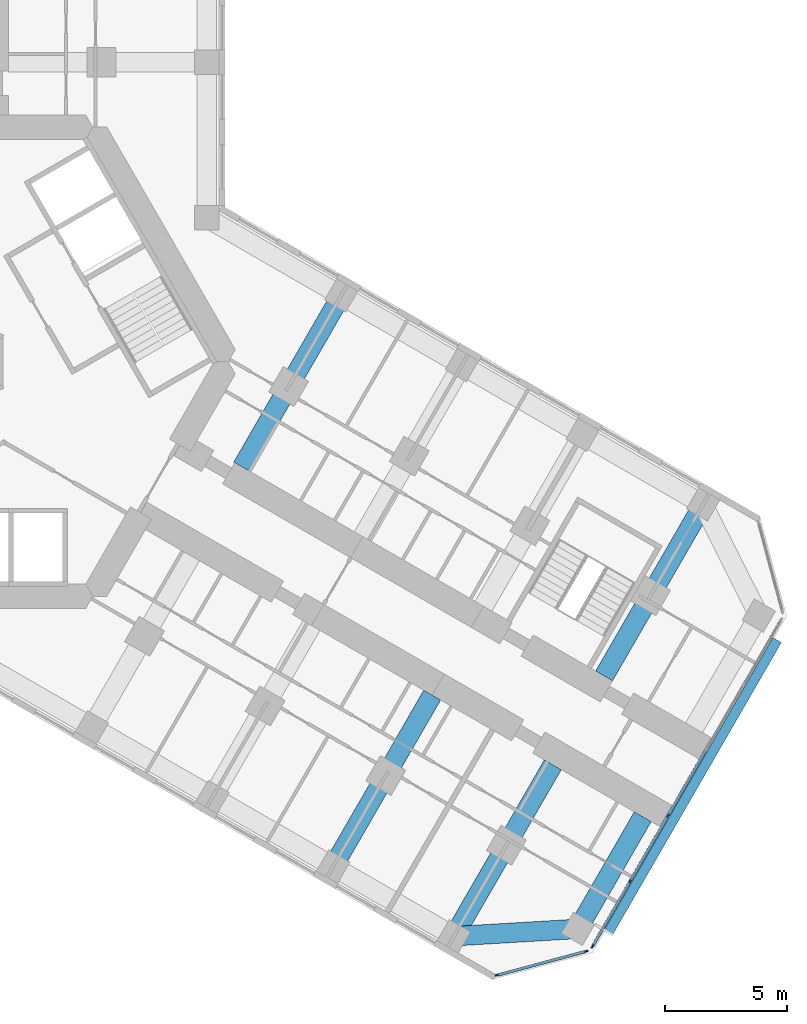
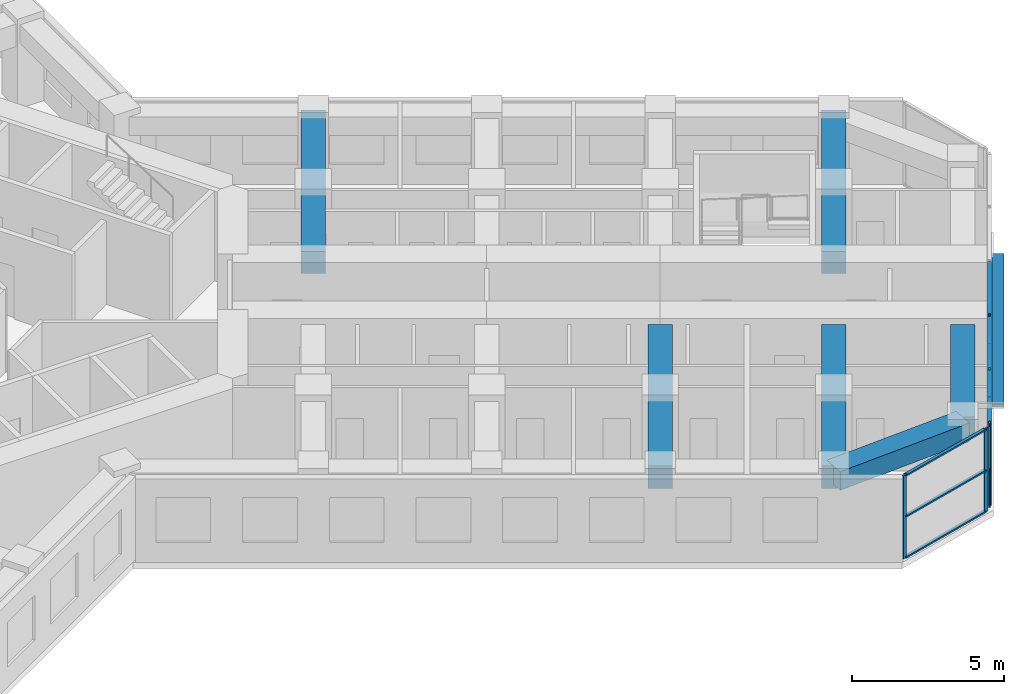
# One storey, part 5 of 21: 15 members, 6 beams, 2 elements without a shape of their own.
"""IFC4 building model written with IfcOpenShell, lengths in metres."""

import ifcopenshell
import ifcopenshell.guid

model = None  # the IFC model being written
_history = None  # IfcOwnerHistory: only IFC2X3 demands one
_inside = {}  # id of a spatial element -> (the spatial element, [elements in it])
_under = {}  # id of a project, library or spatial element -> (it, [spatial elements below it])
_declared = {}  # id of a project -> (the project, [libraries it declares])
_typed = {}  # id of a type object -> (the type object, [elements of that type])
_made_of = {}  # id of a material, layer set ... -> (it, [elements and type objects made of it])


def new_model(schema):
    """Start an empty IFC model of exactly this schema.

    Asked for "IFC4X3", IfcOpenShell would pick the latest addendum, in which some entities
    have other attributes; the version numbers below select the first issue.
    IFC2X3 requires an IfcOwnerHistory on every rooted entity: one is made here for all.
    """
    global model, _history
    if schema == "IFC4X3":
        model = ifcopenshell.file(schema_version=(4, 3, 0, 0))
    else:
        model = ifcopenshell.file(schema=schema)
    _inside.clear()
    _under.clear()
    _declared.clear()
    _typed.clear()
    _made_of.clear()
    _history = None
    if model.schema == "IFC2X3":
        org = make("IfcOrganization", Name="unknown")
        user = make(
            "IfcPersonAndOrganization",
            ThePerson=make("IfcPerson", FamilyName="unknown"),
            TheOrganization=org,
        )
        app = make(
            "IfcApplication",
            ApplicationDeveloper=org,
            Version="unknown",
            ApplicationFullName="unknown",
            ApplicationIdentifier="unknown",
        )
        _history = make(
            "IfcOwnerHistory",
            OwningUser=user,
            OwningApplication=app,
            ChangeAction="ADDED",
            CreationDate=0,
        )
    return model


def make(cls, **values):
    """One entity of the class cls with the attributes given. An attribute that is None is left unset."""
    return model.create_entity(
        cls, **{name: value for name, value in values.items() if value is not None}
    )


def rooted(cls, **values):
    """An entity with a GlobalId (a new one), such as an element, a storey or a relation."""
    return make(cls, GlobalId=ifcopenshell.guid.new(), OwnerHistory=_history, **values)


def si_unit(unit_type, name, prefix=None):
    """IfcSIUnit, for example si_unit("LENGTHUNIT", "METRE", prefix="MILLI")."""
    return make("IfcSIUnit", UnitType=unit_type, Prefix=prefix, Name=name)


def assignment(units):
    """IfcUnitAssignment: the units of a project."""
    return None if units is None else make("IfcUnitAssignment", Units=units)


def point(xyz):
    """IfcCartesianPoint."""
    return None if xyz is None else make("IfcCartesianPoint", Coordinates=xyz)


def direction(xyz):
    """IfcDirection."""
    return None if xyz is None else make("IfcDirection", DirectionRatios=xyz)


def frame(location, z_axis=None, x_axis=None):
    """IfcAxis2Placement3D, a coordinate frame: its origin and axes. An axis left out is left unset."""
    return make(
        "IfcAxis2Placement3D",
        Location=point(location),
        Axis=direction(z_axis),
        RefDirection=direction(x_axis),
    )


def frame_2d(location, x_axis=None):
    """IfcAxis2Placement2D, a coordinate frame in the plane: its origin and x axis."""
    return make(
        "IfcAxis2Placement2D", Location=point(location), RefDirection=direction(x_axis)
    )


def origin():
    """The frame at (0, 0, 0) with its axes left unset."""
    return frame((0.0, 0.0, 0.0))


def origin_2d():
    """The frame at (0, 0) in the plane with its x axis left unset."""
    return frame_2d((0.0, 0.0))


def place(relative_to, where):
    """IfcLocalPlacement: puts the frame where relative to a parent placement (None: the world)."""
    return make(
        "IfcLocalPlacement", PlacementRelTo=relative_to, RelativePlacement=where
    )


def context(
    kind, dimensions, precision=None, world=None, true_north=None, identifier=None
):
    """IfcGeometricRepresentationContext, for example the 3D "Model" context."""
    return make(
        "IfcGeometricRepresentationContext",
        ContextIdentifier=identifier,
        ContextType=kind,
        CoordinateSpaceDimension=dimensions,
        Precision=precision,
        WorldCoordinateSystem=world,
        TrueNorth=true_north,
    )


def subcontext(parent, identifier, kind, view, scale=None):
    """IfcGeometricRepresentationSubContext, for example "Body" below "Model"."""
    return make(
        "IfcGeometricRepresentationSubContext",
        ContextIdentifier=identifier,
        ContextType=kind,
        ParentContext=parent,
        TargetScale=scale,
        TargetView=view,
    )


def project(units=None, contexts=None):
    """IfcProject with its units and contexts."""
    return rooted(
        "IfcProject",
        Name="project",
        RepresentationContexts=contexts,
        UnitsInContext=assignment(units),
    )


def spatial(cls, under=None, at=None, **own):
    """A site, building, storey or space (cls), placed at a placement, below another one or the project."""
    s = rooted(cls, ObjectPlacement=at, **own)
    if under is not None:
        _under.setdefault(under.id(), (under, []))[1].append(s)
    return s


def profile(cls, at=None, kind="AREA", **sizes):
    """A parametric profile (cls). Its sizes go by their IFC names, for example OverallWidth=200.0."""
    return make(cls, ProfileType=kind, Position=at, **sizes)


def rectangle(**sizes):
    """IfcRectangleProfileDef."""
    return profile("IfcRectangleProfileDef", **sizes)


def extrude(swept, where, along, depth):
    """IfcExtrudedAreaSolid: the profile swept, set in the frame where, extruded along a direction by depth."""
    return make(
        "IfcExtrudedAreaSolid",
        SweptArea=swept,
        Position=where,
        ExtrudedDirection=direction(along),
        Depth=depth,
    )


def shape(context_of_items, identifier, shape_type, items):
    """IfcShapeRepresentation: the items that make up one representation, for example the "Body"."""
    return make(
        "IfcShapeRepresentation",
        ContextOfItems=context_of_items,
        RepresentationIdentifier=identifier,
        RepresentationType=shape_type,
        Items=items,
    )


def material(Name=None, Category=None):
    """IfcMaterial."""
    return make("IfcMaterial", Name=Name, Category=Category)


def material_profile(
    of_material, cross_section, Name=None, Category=None, Priority=None
):
    """IfcMaterialProfile: a cross section and its material."""
    return make(
        "IfcMaterialProfile",
        Name=Name,
        Material=of_material,
        Profile=cross_section,
        Priority=Priority,
        Category=Category,
    )


def profile_set(profiles, Name=None, composite=None):
    """IfcMaterialProfileSet."""
    return make(
        "IfcMaterialProfileSet",
        Name=Name,
        MaterialProfiles=profiles,
        CompositeProfile=composite,
    )


def made_of(thing, what):
    """Note that an element or type object is made of a material, layer set ...; save() writes the relation."""
    if what is not None:
        _made_of.setdefault(what.id(), (what, []))[1].append(thing)
    return thing


def type_object(cls, material=None, **own):
    """A type object (cls), such as IfcWallType, which elements share."""
    return made_of(rooted(cls, **own), material)


def element(
    cls,
    number,
    at=None,
    inside=None,
    cuts=None,
    type_object=None,
    material=None,
    context=None,
    identifier="Body",
    shape_type=None,
    held_by="IfcProductDefinitionShape",
    body=None,
    shapes=None,
    **own,
):
    """One element of the class cls, such as IfcWall. Its Tag is "e" and its number.

    at: its placement. inside: the storey or other place that contains it. cuts: it is an
    opening in that element (IfcRelVoidsElement). A single representation is given by context,
    identifier, shape_type and body (its items); several are given by shapes. held_by: the class
    of the entity that holds the representations. save() writes the other relations.
    """
    e = rooted(cls, Tag="e%d" % number, ObjectPlacement=at, **own)
    if body is not None:
        shapes = [shape(context, identifier, shape_type, body)]
    if shapes is not None:
        e.Representation = make(held_by, Representations=shapes)
    if inside is not None:
        _inside.setdefault(inside.id(), (inside, []))[1].append(e)
    if cuts is not None:
        rooted(
            "IfcRelVoidsElement", RelatingBuildingElement=cuts, RelatedOpeningElement=e
        )
    if type_object is not None:
        _typed.setdefault(type_object.id(), (type_object, []))[1].append(e)
    return made_of(e, material)


def aggregate(whole, parts):
    """IfcRelAggregates: a whole, such as a stair, and the parts it consists of."""
    return rooted("IfcRelAggregates", RelatingObject=whole, RelatedObjects=parts)


def save(model, path):
    """Write the relations noted so far, then the file.

    IfcRelAggregates (storeys below a building ...), IfcRelContainedInSpatialStructure (elements
    in a storey), IfcRelDefinesByType, IfcRelAssociatesMaterial and IfcRelDeclares: one each for
    every whole, place, type object, material and project.
    """
    for whole, parts in _under.values():
        aggregate(whole, parts)
    for where, things in _inside.values():
        rooted(
            "IfcRelContainedInSpatialStructure",
            RelatedElements=things,
            RelatingStructure=where,
        )
    for kind, things in _typed.values():
        rooted("IfcRelDefinesByType", RelatedObjects=things, RelatingType=kind)
    for what, things in _made_of.values():
        rooted("IfcRelAssociatesMaterial", RelatedObjects=things, RelatingMaterial=what)
    for by, libraries in _declared.values():
        rooted("IfcRelDeclares", RelatingContext=by, RelatedDefinitions=libraries)
    model.write(path)


model = new_model("IFC4")

# Units and contexts
model_context = context("Model", 3, precision=1e-05, world=origin(), true_north=direction((0.0, 1.0)))
body_context = subcontext(model_context, "Body", "Model", "MODEL_VIEW")
ifc_project = project(units=[si_unit("LENGTHUNIT", "METRE"), si_unit("AREAUNIT", "SQUARE_METRE"), si_unit("VOLUMEUNIT", "CUBIC_METRE"), si_unit("PLANEANGLEUNIT", "RADIAN"), si_unit("MASSUNIT", "GRAM", prefix="KILO")], contexts=[model_context])

# Site, building, storey
site_placement = place(None, origin())
site = spatial("IfcSite", under=ifc_project, at=site_placement, CompositionType="ELEMENT")
building_placement = place(site_placement, origin())
building = spatial("IfcBuilding", under=site, at=building_placement, Name="Kosmar Iwan School Tower", CompositionType="ELEMENT")
storey_placement = place(building_placement, frame((0.0, 0.0, 57.39990234375)))
storey = spatial("IfcBuildingStorey", under=building, at=storey_placement, Name="L13", CompositionType="ELEMENT", Elevation=57.39990234375)

# Member
ifc_material_1 = material(Name="Black anodised aluminium", Category="aluminium")
ifc_material_profile_1 = material_profile(ifc_material_1, rectangle(XDim=0.10009765625, YDim=0.39990234375, at=origin_2d()), Name="FIN 100x400")
ifc_profile_set_1 = profile_set([ifc_material_profile_1], Name="Black anodised aluminium")
member_type_1 = type_object("IfcMemberType", Name="Diagonal fin 100x400", PredefinedType="USERDEFINED", material=ifc_profile_set_1)
member_1_placement = place(storey_placement, frame((33.54345703125, -11.40087890625, -0.14990234375), z_axis=(-0.483793446988, -0.837970316603, 0.25248692866), x_axis=(0.126241714543, 0.218661104574, 0.96760030532)))
element("IfcMember", 1, at=member_1_placement, inside=storey, type_object=member_type_1, Name="Diagonal fin L13-F03", ObjectType="FIN", PredefinedType="USERDEFINED", context=body_context, shape_type="SweptSolid", body=[
    extrude(rectangle(XDim=0.10009765625, YDim=0.39990234375, at=origin_2d()), origin(), (0.0, 0.0, 1.0), 14.258544921875),
])

# Curtain wall, members
ifc_material_2 = material(Name="Dark glass in black aluminium frame", Category="aluminium")
curtain_wall_type_1 = type_object("IfcCurtainWallType", Name="Chamfer curtain wall dark glass", PredefinedType="USERDEFINED", material=ifc_material_2)
curtain_wall_1_placement = place(storey_placement, origin())
curtain_wall_1 = element("IfcCurtainWall", 2, at=curtain_wall_1_placement, inside=storey, type_object=curtain_wall_type_1, Name="Curtain wall L13-F02", ObjectType="FACETED CURTAIN WALL", PredefinedType="USERDEFINED")
ifc_material_3 = material(Name="Black anodised aluminium", Category="aluminium")
ifc_material_profile_2 = material_profile(ifc_material_3, rectangle(XDim=0.06005859375, YDim=0.159912109375, at=origin_2d()), Name="MULLION 60x160")
ifc_profile_set_2 = profile_set([ifc_material_profile_2], Name="Black anodised aluminium")
member_type_2 = type_object("IfcMemberType", Name="Mullion 60x160", PredefinedType="MULLION", material=ifc_profile_set_2)
member_2_placement = place(storey_placement, frame((22.0830078125, -25.102294921875, 0.0), z_axis=(0.0, 0.0, 1.0), x_axis=(-0.258818861462, 0.965925875495, 0.0)))
member_2 = element("IfcMember", 3, at=member_2_placement, type_object=member_type_2, Name="CW2 mullion 1", PredefinedType="MULLION", context=body_context, shape_type="SweptSolid", body=[
    extrude(rectangle(XDim=0.06005859375, YDim=0.159912109375, at=origin_2d()), origin(), (0.0, 0.0, 1.0), 3.35009765625),
])
member_3_placement = place(storey_placement, frame((25.733154296875, -24.124267578125, 0.0), z_axis=(0.0, 0.0, 1.0), x_axis=(-0.258818861462, 0.965925875495, 0.0)))
member_3 = element("IfcMember", 4, at=member_3_placement, type_object=member_type_2, Name="CW2 mullion 2", PredefinedType="MULLION", context=body_context, shape_type="SweptSolid", body=[
    extrude(rectangle(XDim=0.06005859375, YDim=0.159912109375, at=origin_2d()), origin(), (0.0, 0.0, 1.0), 3.35009765625),
])

ifc_material_4 = material(Name="Dark glass in black aluminium frame", Category="aluminium")
curtain_wall_type_2 = type_object("IfcCurtainWallType", Name="Tower curtain wall dark glass", PredefinedType="USERDEFINED", material=ifc_material_4)
curtain_wall_2_placement = place(storey_placement, origin())
curtain_wall_2 = element("IfcCurtainWall", 5, at=curtain_wall_2_placement, inside=storey, type_object=curtain_wall_type_2, Name="Curtain wall L13-F03", ObjectType="UNITISED CURTAIN WALL", PredefinedType="USERDEFINED")
member_4_placement = place(storey_placement, frame((25.9970703125, -23.921630859375, 0.0), z_axis=(0.0, 0.0, 1.0), x_axis=(-0.866025405329, 0.499999997325, 0.0)))
member_4 = element("IfcMember", 6, at=member_4_placement, type_object=member_type_2, Name="CW1 mullion 1", PredefinedType="MULLION", context=body_context, shape_type="SweptSolid", body=[
    extrude(rectangle(XDim=0.06005859375, YDim=0.159912109375, at=origin_2d()), origin(), (0.0, 0.0, 1.0), 3.35009765625),
])
member_5_placement = place(storey_placement, frame((27.53173828125, -21.263671875, 0.0), z_axis=(0.0, 0.0, 1.0), x_axis=(-0.866025405329, 0.499999997325, 0.0)))
member_5 = element("IfcMember", 7, at=member_5_placement, type_object=member_type_2, Name="CW1 mullion 2", PredefinedType="MULLION", context=body_context, shape_type="SweptSolid", body=[
    extrude(rectangle(XDim=0.06005859375, YDim=0.159912109375, at=origin_2d()), origin(), (0.0, 0.0, 1.0), 3.35009765625),
])
member_6_placement = place(storey_placement, frame((29.081298828125, -18.57958984375, 0.0), z_axis=(0.0, 0.0, 1.0), x_axis=(-0.866025405329, 0.499999997325, 0.0)))
member_6 = element("IfcMember", 8, at=member_6_placement, type_object=member_type_2, Name="CW1 mullion 3", PredefinedType="MULLION", context=body_context, shape_type="SweptSolid", body=[
    extrude(rectangle(XDim=0.06005859375, YDim=0.159912109375, at=origin_2d()), origin(), (0.0, 0.0, 1.0), 3.35009765625),
])

# Beams
ifc_material_5 = material(Name="Concrete C50/60", Category="concrete")
ifc_material_profile_3 = material_profile(ifc_material_5, rectangle(XDim=0.800048828125, YDim=0.75, at=origin_2d()), Name="RC 800x750")
ifc_profile_set_3 = profile_set([ifc_material_profile_3], Name="Concrete C50/60")
beam_type_1 = type_object("IfcBeamType", Name="RC tip beam 800x750", PredefinedType="BEAM", material=ifc_profile_set_3)
beam_1_placement = place(storey_placement, frame((20.31787109375, -23.508544921875, 2.97509765625), z_axis=(0.998260616478, 0.058955420358, 0.0), x_axis=(-0.058955420358, 0.998260616478, 0.0)))
element("IfcBeam", 9, at=beam_1_placement, inside=storey, type_object=beam_type_1, Name="Tip beam CR", PredefinedType="BEAM", context=body_context, shape_type="SweptSolid", body=[
    extrude(rectangle(XDim=0.800048828125, YDim=0.75, at=origin_2d()), origin(), (0.0, 0.0, 1.0), 5.08935546875),
])
beam_2_placement = place(storey_placement, frame((25.3984375, -23.20849609375, 2.97509765625), z_axis=(0.499993606316, 0.866029095148, 0.0), x_axis=(-0.866029095148, 0.499993606316, 0.0)))
element("IfcBeam", 10, at=beam_2_placement, inside=storey, type_object=beam_type_1, Name="Tip beam CR to corridor wall", PredefinedType="BEAM", context=body_context, shape_type="SweptSolid", body=[
    extrude(rectangle(XDim=0.800048828125, YDim=0.75, at=origin_2d()), origin(), (0.0, 0.0, 1.0), 5.2998046875),
])
ifc_material_6 = material(Name="Concrete C50/60", Category="concrete")
ifc_material_profile_4 = material_profile(ifc_material_6, rectangle(XDim=0.800048828125, YDim=0.89990234375, at=origin_2d()), Name="RC 800x900")
ifc_profile_set_4 = profile_set([ifc_material_profile_4], Name="Concrete C50/60")
beam_type_2 = type_object("IfcBeamType", Name="RC transverse beam 800x900", PredefinedType="BEAM", material=ifc_profile_set_4)
for number, where, z_axis, x_axis, name in (
    (11, (15.708740234375, 2.70849609375, 2.900146484375), (-0.499999880539, -0.866025472755, 0.0), (0.866025472755, -0.499999880539, 0.0), "Transverse beam CL1"),
    (12, (30.517822265625, -5.841552734375, 2.900146484375), (-0.499999880539, -0.866025472755, 0.0), (0.866025472755, -0.499999880539, 0.0), "Transverse beam CL4"),
    (13, (15.381591796875, -20.658447265625, 2.900146484375), (0.499977274689, 0.866038523851, 0.0), (-0.866038523851, 0.499977274689, 0.0), "Transverse beam CR3"),
    (14, (20.31787109375, -23.508544921875, 2.900146484375), (0.499999880539, 0.866025472755, 0.0), (-0.866025472755, 0.499999880539, 0.0), "Transverse beam CR4"),
):
    element("IfcBeam", number, at=place(storey_placement, frame(where, z_axis=z_axis, x_axis=x_axis)), inside=storey, type_object=beam_type_2, Name=name, PredefinedType="BEAM", context=body_context, shape_type="SweptSolid", body=[
        extrude(rectangle(XDim=0.800048828125, YDim=0.89990234375, at=origin_2d()), origin(), (0.0, 0.0, 1.0), 8.10009765625),
    ])

# Member
ifc_material_7 = material(Name="Black anodised aluminium", Category="aluminium")
ifc_material_profile_5 = material_profile(ifc_material_7, rectangle(XDim=0.1201171875, YDim=0.06005859375, at=origin_2d()), Name="TRANSOM 60x120")
ifc_profile_set_5 = profile_set([ifc_material_profile_5], Name="Black anodised aluminium")
member_type_3 = type_object("IfcMemberType", Name="Transom 60x120", PredefinedType="USERDEFINED", material=ifc_profile_set_5)
member_7_placement = place(storey_placement, frame((22.11181640625, -25.094482421875, 0.030029296875), z_axis=(0.965923731726, 0.258826861991, 0.0), x_axis=(-0.258826861991, 0.965923731726, 0.0)))
member_7 = element("IfcMember", 15, at=member_7_placement, type_object=member_type_3, Name="CW2 transom 1.1", ObjectType="TRANSOM", PredefinedType="USERDEFINED", context=body_context, shape_type="SweptSolid", body=[
    extrude(rectangle(XDim=0.1201171875, YDim=0.06005859375, at=origin_2d()), origin(), (0.0, 0.0, 1.0), 3.71923828125),
])

member_8_placement = place(storey_placement, frame((22.11181640625, -25.094482421875, 1.675048828125), z_axis=(0.965923731726, 0.258826861991, 0.0), x_axis=(-0.258826861991, 0.965923731726, 0.0)))
member_8 = element("IfcMember", 16, at=member_8_placement, type_object=member_type_3, Name="CW2 transom 1.2", ObjectType="TRANSOM", PredefinedType="USERDEFINED", context=body_context, shape_type="SweptSolid", body=[
    extrude(rectangle(XDim=0.1201171875, YDim=0.06005859375, at=origin_2d()), origin(), (0.0, 0.0, 1.0), 3.71923828125),
])

member_9_placement = place(storey_placement, frame((22.11181640625, -25.094482421875, 3.320068359375), z_axis=(0.965923731726, 0.258826861991, 0.0), x_axis=(-0.258826861991, 0.965923731726, 0.0)))
member_9 = element("IfcMember", 17, at=member_9_placement, type_object=member_type_3, Name="CW2 transom 1.3", ObjectType="TRANSOM", PredefinedType="USERDEFINED", context=body_context, shape_type="SweptSolid", body=[
    extrude(rectangle(XDim=0.1201171875, YDim=0.06005859375, at=origin_2d()), origin(), (0.0, 0.0, 1.0), 3.71923828125),
])

aggregate(curtain_wall_1, [member_2, member_3, member_7, member_8, member_9])

member_10_placement = place(storey_placement, frame((26.01220703125, -23.895751953125, 0.030029296875), z_axis=(0.499986971506, 0.866032925658, 0.0), x_axis=(-0.866032925658, 0.499986971506, 0.0)))
member_10 = element("IfcMember", 18, at=member_10_placement, type_object=member_type_3, Name="CW1 transom 1.1", ObjectType="TRANSOM", PredefinedType="USERDEFINED", context=body_context, shape_type="SweptSolid", body=[
    extrude(rectangle(XDim=0.1201171875, YDim=0.06005859375, at=origin_2d()), origin(), (0.0, 0.0, 1.0), 3.00927734375),
])

member_11_placement = place(storey_placement, frame((26.01220703125, -23.895751953125, 3.320068359375), z_axis=(0.499986971506, 0.866032925658, 0.0), x_axis=(-0.866032925658, 0.499986971506, 0.0)))
member_11 = element("IfcMember", 19, at=member_11_placement, type_object=member_type_3, Name="CW1 transom 1.2", ObjectType="TRANSOM", PredefinedType="USERDEFINED", context=body_context, shape_type="SweptSolid", body=[
    extrude(rectangle(XDim=0.1201171875, YDim=0.06005859375, at=origin_2d()), origin(), (0.0, 0.0, 1.0), 3.00927734375),
])

member_12_placement = place(storey_placement, frame((27.546875, -21.237548828125, 0.030029296875), z_axis=(0.499975102327, 0.866039777986, 0.0), x_axis=(-0.866039777986, 0.499975102327, 0.0)))
member_12 = element("IfcMember", 20, at=member_12_placement, type_object=member_type_3, Name="CW1 transom 2.1", ObjectType="TRANSOM", PredefinedType="USERDEFINED", context=body_context, shape_type="SweptSolid", body=[
    extrude(rectangle(XDim=0.1201171875, YDim=0.06005859375, at=origin_2d()), origin(), (0.0, 0.0, 1.0), 3.039306640625),
])

member_13_placement = place(storey_placement, frame((27.546875, -21.237548828125, 3.320068359375), z_axis=(0.499975102327, 0.866039777986, 0.0), x_axis=(-0.866039777986, 0.499975102327, 0.0)))
member_13 = element("IfcMember", 21, at=member_13_placement, type_object=member_type_3, Name="CW1 transom 2.2", ObjectType="TRANSOM", PredefinedType="USERDEFINED", context=body_context, shape_type="SweptSolid", body=[
    extrude(rectangle(XDim=0.1201171875, YDim=0.06005859375, at=origin_2d()), origin(), (0.0, 0.0, 1.0), 3.039306640625),
])

member_14_placement = place(storey_placement, frame((29.096435546875, -18.553466796875, 0.030029296875), z_axis=(0.499975102327, 0.866039777986, 0.0), x_axis=(-0.866039777986, 0.499975102327, 0.0)))
member_14 = element("IfcMember", 22, at=member_14_placement, type_object=member_type_3, Name="CW1 transom 3.1", ObjectType="TRANSOM", PredefinedType="USERDEFINED", context=body_context, shape_type="SweptSolid", body=[
    extrude(rectangle(XDim=0.1201171875, YDim=0.06005859375, at=origin_2d()), origin(), (0.0, 0.0, 1.0), 3.039306640625),
])

member_15_placement = place(storey_placement, frame((29.096435546875, -18.553466796875, 3.320068359375), z_axis=(0.499975102327, 0.866039777986, 0.0), x_axis=(-0.866039777986, 0.499975102327, 0.0)))
member_15 = element("IfcMember", 23, at=member_15_placement, type_object=member_type_3, Name="CW1 transom 3.2", ObjectType="TRANSOM", PredefinedType="USERDEFINED", context=body_context, shape_type="SweptSolid", body=[
    extrude(rectangle(XDim=0.1201171875, YDim=0.06005859375, at=origin_2d()), origin(), (0.0, 0.0, 1.0), 3.039306640625),
])

aggregate(curtain_wall_2, [member_4, member_5, member_6, member_10, member_11, member_12, member_13, member_14, member_15])

save(model, "model.ifc")
